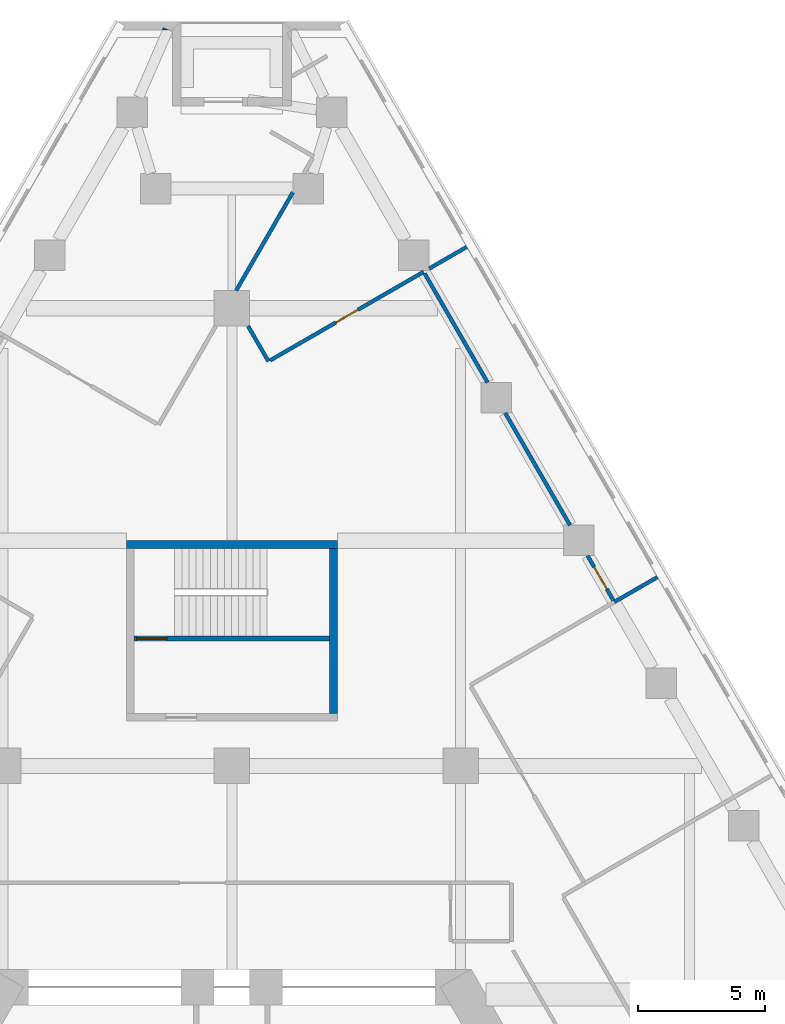
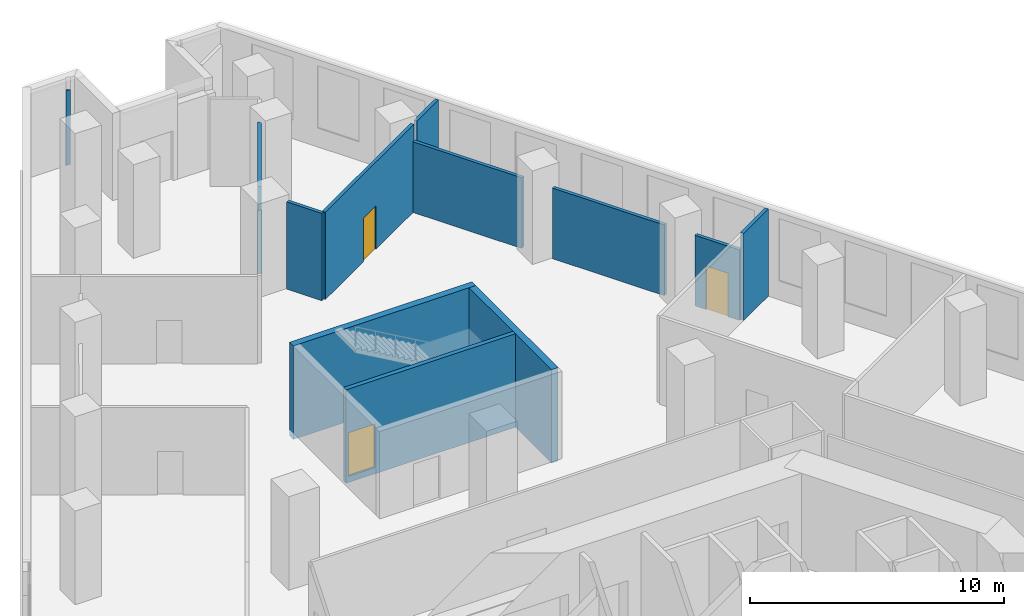
# One storey, part 10 of 14: 12 walls, 3 doors, 3 openings.
"""IFC4 building model written with IfcOpenShell, lengths in metres."""

from ifc_helpers import new_model, si_unit, direction, frame, frame_2d, origin, place, context, subcontext, project, spatial, polyline, rectangle, outline, extrude, material, layer, layer_set, type_object, element, fill, save


model = new_model("IFC4")

# Units and contexts
model_context = context("Model", 3, precision=1e-05, world=origin(), true_north=direction((0.0, 1.0)))
body_context = subcontext(model_context, "Body", "Model", "MODEL_VIEW")
ifc_project = project(units=[si_unit("LENGTHUNIT", "METRE"), si_unit("AREAUNIT", "SQUARE_METRE"), si_unit("VOLUMEUNIT", "CUBIC_METRE"), si_unit("PLANEANGLEUNIT", "RADIAN"), si_unit("MASSUNIT", "GRAM", prefix="KILO")], contexts=[model_context])

# Site, building, storey
site_placement = place(None, origin())
site = spatial("IfcSite", under=ifc_project, at=site_placement, CompositionType="ELEMENT")
building_placement = place(site_placement, origin())
building = spatial("IfcBuilding", under=site, at=building_placement, Name="Fogline Exchange Tower", CompositionType="ELEMENT")
storey_placement = place(building_placement, frame((0.0, 0.0, 34.0)))
storey = spatial("IfcBuildingStorey", under=building, at=storey_placement, Name="L06", CompositionType="ELEMENT", Elevation=34.0)

# Wall, opening, door
ifc_material_1 = material(Name="Concrete C40", Category="concrete")
ifc_layer_1 = layer(ifc_material_1, 0.199951171875)
ifc_layer_set_1 = layer_set([ifc_layer_1], Name="CW20R")
wall_type_1 = type_object("IfcWallType", Name="CW20R", PredefinedType="SOLIDWALL", material=ifc_layer_set_1)
wall_1_placement = place(storey_placement, frame((-3.85009765625, 32.007080078125, -0.300048828125), z_axis=(0.0, 0.0, 1.0), x_axis=(1.0, 0.0, 0.0)))
wall_1 = element("IfcWall", 1, at=wall_1_placement, inside=storey, type_object=wall_type_1, Name="Stair enclosure wall ST3", PredefinedType="SOLIDWALL", context=body_context, shape_type="SweptSolid", body=[
    extrude(rectangle(XDim=7.7001953125, YDim=0.199951171875, at=frame_2d((3.85009765625, 0.0))), origin(), (0.0, 0.0, 1.0), 4.5),
])
opening_1_placement = place(wall_1_placement, frame((0.10009765625, 0.0, 0.300048828125)))
opening_1 = element("IfcOpeningElement", 2, at=opening_1_placement, cuts=wall_1, Name="Opening T01-C023", PredefinedType="OPENING", context=body_context, shape_type="SweptSolid", body=[
    extrude(rectangle(XDim=1.199951171875, YDim=2.10009765625, at=frame_2d((0.60009765625, 1.050048828125))), frame((0.0, 0.10986328125, 0.0), z_axis=(0.0, -1.0, 0.0), x_axis=(1.0, 0.0, 0.0)), (0.0, 0.0, 1.0), 0.219970703125),
])
ifc_material_2 = material(Name="Steel and timber fire door", Category="steel")
door_type_1 = type_object("IfcDoorType", Name="D-ST1", OperationType="SINGLE_SWING_LEFT", PredefinedType="DOOR", material=ifc_material_2)
door_1_placement = place(opening_1_placement, origin())
door_1 = element("IfcDoor", 3, at=door_1_placement, inside=storey, type_object=door_type_1, Name="Stair door ST3", OperationType="SINGLE_SWING_LEFT", OverallHeight=2.10009765625, OverallWidth=1.199951171875, PredefinedType="DOOR", context=body_context, shape_type="SweptSolid", body=[
    extrude(rectangle(XDim=1.199951171875, YDim=2.10009765625, at=frame_2d((0.60009765625, 1.050048828125))), frame((0.0, 0.02490234375, 0.0), z_axis=(0.0, -1.0, 0.0), x_axis=(1.0, 0.0, 0.0)), (0.0, 0.0, 1.0), 0.050048828125),
])
fill(opening_1, door_1)

# Walls
ifc_layer_2 = layer(ifc_material_1, 0.300048828125)
ifc_layer_set_2 = layer_set([ifc_layer_2], Name="CW30")
wall_type_2 = type_object("IfcWallType", Name="CW30", PredefinedType="SOLIDWALL", material=ifc_layer_set_2)
wall_2_placement = place(storey_placement, frame((-4.14990234375, 35.70703125, -0.300048828125), z_axis=(0.0, 0.0, 1.0), x_axis=(1.0, 0.0, 0.0)))
element("IfcWall", 4, at=wall_2_placement, inside=storey, type_object=wall_type_2, Name="Stair enclosure wall ST3", PredefinedType="SOLIDWALL", context=body_context, shape_type="SweptSolid", body=[
    extrude(rectangle(XDim=8.2998046875, YDim=0.300048828125, at=frame_2d((4.14990234375, 0.0))), origin(), (0.0, 0.0, 1.0), 4.5),
])
wall_3_placement = place(storey_placement, frame((4.0, 29.056884765625, -0.300048828125), z_axis=(0.0, 0.0, 1.0), x_axis=(0.0, 1.0, 0.0)))
element("IfcWall", 5, at=wall_3_placement, inside=storey, type_object=wall_type_2, Name="Stair enclosure wall ST3", PredefinedType="SOLIDWALL", context=body_context, shape_type="SweptSolid", body=[
    extrude(rectangle(XDim=6.5, YDim=0.300048828125, at=frame_2d((3.25, 0.0))), origin(), (0.0, 0.0, 1.0), 4.5),
])
ifc_material_3 = material(Name="Brick masonry", Category="masonry")
ifc_layer_3 = layer(ifc_material_3, 0.340087890625)
ifc_layer_set_3 = layer_set([ifc_layer_3], Name="FW1")
wall_type_3 = type_object("IfcWallType", Name="FW1", PredefinedType="SOLIDWALL", material=ifc_layer_set_3)
wall_4_placement = place(storey_placement, origin())
element("IfcWall", 6, at=wall_4_placement, inside=storey, type_object=wall_type_3, Name="Brick wall L06 N-c2", PredefinedType="SOLIDWALL", context=body_context, shape_type="SweptSolid", body=[
    extrude(outline(polyline([(-2.72998046875, 55.951171875), (-2.695068359375, 56.031494140625), (-2.510009765625, 55.951171875), (-2.72998046875, 55.951171875)])), origin(), (0.0, 0.0, 1.0), 3.60009765625),
])
ifc_material_4 = material(Name="Plasterboard demising partition with mineral wool and acoustic board")
ifc_layer_4 = layer(ifc_material_4, 0.14990234375)
ifc_layer_set_4 = layer_set([ifc_layer_4], Name="PW3")
wall_type_4 = type_object("IfcWallType", Name="PW3", PredefinedType="PARTITIONING", material=ifc_layer_set_4)
wall_5_placement = place(storey_placement, frame((15.045654296875, 33.4462890625, 0.0), z_axis=(0.0, 0.0, 1.0), x_axis=(0.866054235095, 0.49995005938, 0.0)))
element("IfcWall", 7, at=wall_5_placement, inside=storey, type_object=wall_type_4, Name="wall-L06-W013", PredefinedType="PARTITIONING", context=body_context, shape_type="SweptSolid", body=[
    extrude(rectangle(XDim=1.949951171875, YDim=0.14990234375, at=frame_2d((0.97509765625, 0.0))), origin(), (0.0, 0.0, 1.0), 4.199951171875),
])
wall_6_placement = place(storey_placement, frame((7.764404296875, 46.56298828125, 0.0), z_axis=(0.0, 0.0, 1.0), x_axis=(0.866039477586, 0.499975622669, 0.0)))
element("IfcWall", 8, at=wall_6_placement, inside=storey, type_object=wall_type_4, Name="wall-L06-W017", PredefinedType="PARTITIONING", context=body_context, shape_type="SweptSolid", body=[
    extrude(rectangle(XDim=1.697265625, YDim=0.14990234375, at=frame_2d((0.8486328125, 0.0))), origin(), (0.0, 0.0, 1.0), 4.199951171875),
])

# Wall, opening, door
wall_7_placement = place(storey_placement, frame((15.008056640625, 33.51123046875, 0.0), z_axis=(0.0, 0.0, 1.0), x_axis=(-0.500048947491, 0.865997142093, 0.0)))
wall_7 = element("IfcWall", 9, at=wall_7_placement, inside=storey, type_object=wall_type_4, Name="wall-L06-W019", PredefinedType="PARTITIONING", context=body_context, shape_type="SweptSolid", body=[
    extrude(rectangle(XDim=2.028076171875, YDim=0.14990234375, at=frame_2d((1.01416015625, 0.0))), origin(), (0.0, 0.0, 1.0), 3.39990234375),
])
opening_2_placement = place(wall_7_placement, frame((0.51416015625, 0.0, 0.0)))
opening_2 = element("IfcOpeningElement", 10, at=opening_2_placement, cuts=wall_7, Name="Opening T01-D007", PredefinedType="OPENING", context=body_context, shape_type="SweptSolid", body=[
    extrude(rectangle(XDim=1.0, YDim=2.10009765625, at=frame_2d((0.5, 1.050048828125))), frame((0.0, 0.0849609375, 0.0), z_axis=(0.0, -1.0, 0.0), x_axis=(1.0, 0.0, 0.0)), (0.0, 0.0, 1.0), 0.169921875),
])
ifc_material_5 = material(Name="Fire-rated timber door leaf with steel frame", Category="steel")
door_type_2 = type_object("IfcDoorType", Name="D3", OperationType="SINGLE_SWING_LEFT", PredefinedType="DOOR", material=ifc_material_5)
door_2_placement = place(opening_2_placement, frame((1.0, 0.0, 0.0), z_axis=(0.0, 0.0, 1.0), x_axis=(-1.0, 0.0, 0.0)))
door_2 = element("IfcDoor", 11, at=door_2_placement, inside=storey, type_object=door_type_2, Name="door-L06-D007", OperationType="SINGLE_SWING_RIGHT", OverallHeight=2.10009765625, OverallWidth=1.0, PredefinedType="DOOR", context=body_context, shape_type="SweptSolid", body=[
    extrude(rectangle(XDim=1.0, YDim=2.10009765625, at=frame_2d((0.5, 1.050048828125))), frame((0.0, 0.02490234375, 0.0), z_axis=(0.0, -1.0, 0.0), x_axis=(1.0, 0.0, 0.0)), (0.0, 0.0, 1.0), 0.050048828125),
])
fill(opening_2, door_2)

# Walls
wall_8_placement = place(storey_placement, frame((13.30126953125, 36.467529296875, 0.0), z_axis=(0.0, 0.0, 1.0), x_axis=(-0.499991921166, 0.866030068051, 0.0)))
element("IfcWall", 12, at=wall_8_placement, inside=storey, type_object=wall_type_4, Name="wall-L06-W020", PredefinedType="PARTITIONING", context=body_context, shape_type="SweptSolid", body=[
    extrude(rectangle(XDim=5.09765625, YDim=0.14990234375, at=frame_2d((2.548828125, 0.0))), origin(), (0.0, 0.0, 1.0), 3.39990234375),
])
wall_9_placement = place(storey_placement, frame((10.0595703125, 42.082275390625, 0.0), z_axis=(0.0, 0.0, 1.0), x_axis=(-0.500019708872, 0.866014024563, 0.0)))
element("IfcWall", 13, at=wall_9_placement, inside=storey, type_object=wall_type_4, Name="wall-L06-W021", PredefinedType="PARTITIONING", context=body_context, shape_type="SweptSolid", body=[
    extrude(rectangle(XDim=4.952880859375, YDim=0.14990234375, at=frame_2d((2.4765625, 0.0))), origin(), (0.0, 0.0, 1.0), 3.39990234375),
])

# Wall, opening, door
wall_10_placement = place(storey_placement, frame((7.545654296875, 46.4365234375, 0.0), z_axis=(0.0, 0.0, 1.0), x_axis=(-0.866037534292, -0.499978988757, 0.0)))
wall_10 = element("IfcWall", 14, at=wall_10_placement, inside=storey, type_object=wall_type_4, Name="wall-L06-W022", PredefinedType="PARTITIONING", context=body_context, shape_type="SweptSolid", body=[
    extrude(rectangle(XDim=6.974853515625, YDim=0.14990234375, at=frame_2d((3.4873046875, 0.0))), origin(), (0.0, 0.0, 1.0), 4.199951171875),
])
opening_3_placement = place(wall_10_placement, frame((2.987548828125, 0.0, 0.0)))
opening_3 = element("IfcOpeningElement", 15, at=opening_3_placement, cuts=wall_10, Name="Opening T01-D008", PredefinedType="OPENING", context=body_context, shape_type="SweptSolid", body=[
    extrude(rectangle(XDim=1.0, YDim=2.10009765625, at=frame_2d((0.5, 1.050048828125))), frame((0.0, 0.0849609375, 0.0), z_axis=(0.0, -1.0, 0.0), x_axis=(1.0, 0.0, 0.0)), (0.0, 0.0, 1.0), 0.169921875),
])
door_3_placement = place(opening_3_placement, frame((1.0, 0.0, 0.0), z_axis=(0.0, 0.0, 1.0), x_axis=(-1.0, 0.0, 0.0)))
door_3 = element("IfcDoor", 16, at=door_3_placement, inside=storey, type_object=door_type_2, Name="door-L06-D008", OperationType="SINGLE_SWING_LEFT", OverallHeight=2.10009765625, OverallWidth=1.0, PredefinedType="DOOR", context=body_context, shape_type="SweptSolid", body=[
    extrude(rectangle(XDim=1.0, YDim=2.10009765625, at=frame_2d((0.5, 1.050048828125))), frame((0.0, 0.02490234375, 0.0), z_axis=(0.0, -1.0, 0.0), x_axis=(1.0, 0.0, 0.0)), (0.0, 0.0, 1.0), 0.050048828125),
])
fill(opening_3, door_3)

# Walls
wall_11_placement = place(storey_placement, frame((1.440185546875, 42.91162109375, 0.0), z_axis=(0.0, 0.0, 1.0), x_axis=(-0.500069551962, 0.865985244216, 0.0)))
element("IfcWall", 17, at=wall_11_placement, inside=storey, type_object=wall_type_4, Name="wall-L06-W023", PredefinedType="PARTITIONING", context=body_context, shape_type="SweptSolid", body=[
    extrude(rectangle(XDim=1.603271484375, YDim=0.14990234375, at=frame_2d((0.8017578125, 0.0))), origin(), (0.0, 0.0, 1.0), 4.199951171875),
])
wall_12_placement = place(storey_placement, frame((0.169921875, 45.699951171875, 0.0), z_axis=(0.0, 0.0, 1.0), x_axis=(0.499965681329, 0.866045216772, 0.0)))
element("IfcWall", 18, at=wall_12_placement, inside=storey, type_object=wall_type_4, Name="wall-L06-W024", PredefinedType="PARTITIONING", context=body_context, shape_type="SweptSolid", body=[
    extrude(rectangle(XDim=4.460205078125, YDim=0.14990234375, at=frame_2d((2.22998046875, 0.0))), origin(), (0.0, 0.0, 1.0), 4.199951171875),
])

save(model, "model.ifc")
